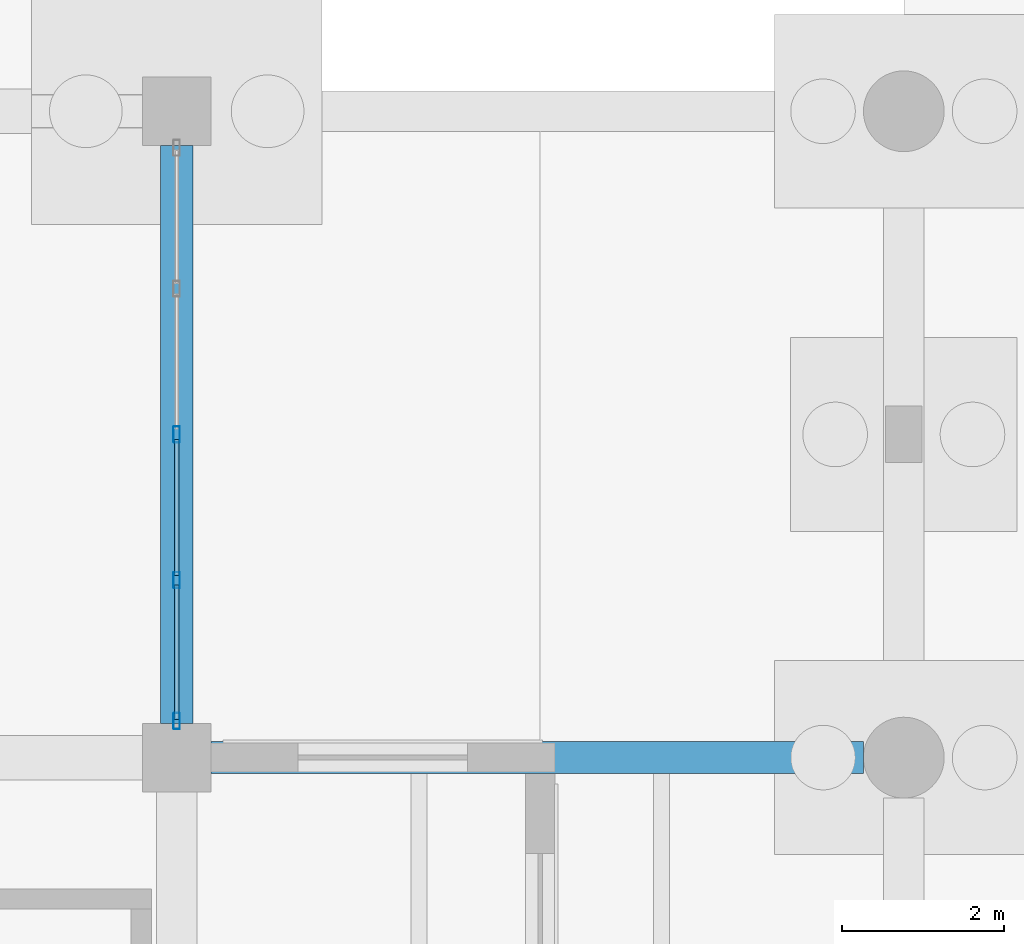
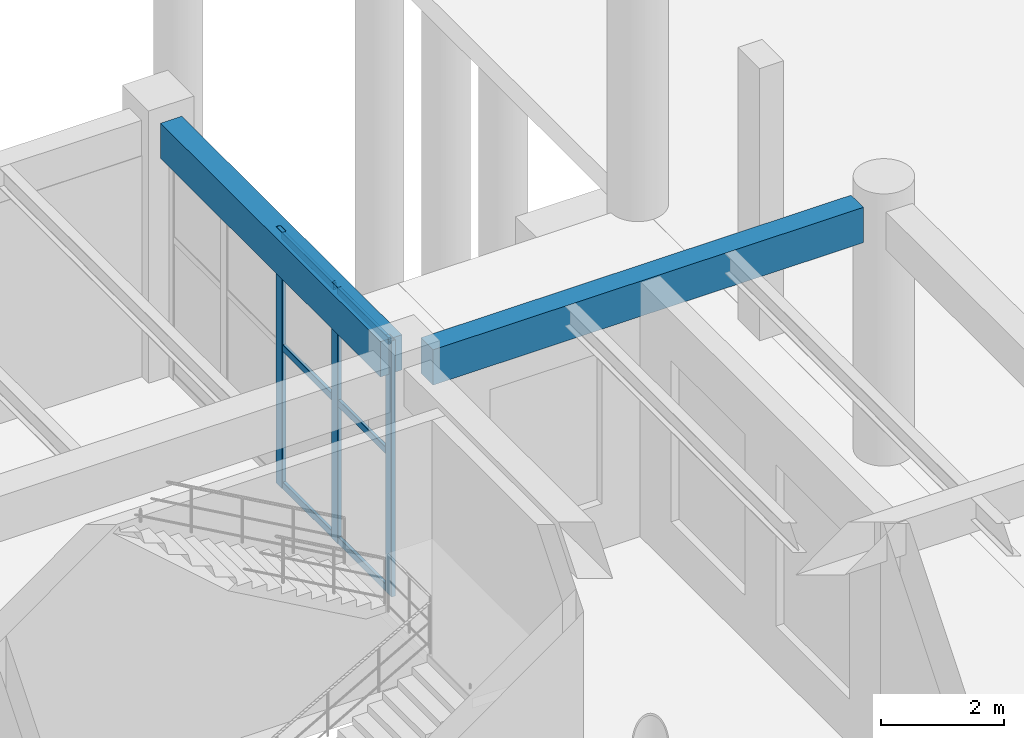
# One storey, part 45 of 121: 9 members, 2 beams, 1 element without a shape of its own.
"""IFC4 building model written with IfcOpenShell, lengths in metres."""

from ifc_helpers import new_model, si_unit, derived_unit, direction, frame, origin, origin_2d, place, context, subcontext, project, spatial, rectangle, hollow_rectangle, extrude, material, material_profile, profile_set, type_object, element, aggregate, save


model = new_model("IFC4")

# Units and contexts
model_context = context("Model", 3, precision=1e-05, world=origin(), true_north=direction((0.0, 1.0)))
body_context = subcontext(model_context, "Body", "Model", "MODEL_VIEW")
ifc_project = project(units=[si_unit("LENGTHUNIT", "METRE"), si_unit("AREAUNIT", "SQUARE_METRE"), si_unit("VOLUMEUNIT", "CUBIC_METRE"), si_unit("PLANEANGLEUNIT", "RADIAN"), si_unit("MASSUNIT", "GRAM", prefix="KILO"), derived_unit("THERMALTRANSMITTANCEUNIT", [(si_unit("MASSUNIT", "GRAM", prefix="KILO"), 1), (si_unit("TIMEUNIT", "SECOND"), -3), (si_unit("THERMODYNAMICTEMPERATUREUNIT", "KELVIN"), -1)])], contexts=[model_context])

# Site, building, storey
site_placement = place(None, origin())
site = spatial("IfcSite", under=ifc_project, at=site_placement, CompositionType="ELEMENT")
building_placement = place(site_placement, origin())
building = spatial("IfcBuilding", under=site, at=building_placement, Name="Zhenchuan Archway Interchange", CompositionType="ELEMENT")
storey_placement = place(building_placement, origin())
storey = spatial("IfcBuildingStorey", under=building, at=storey_placement, Name="L00", CompositionType="ELEMENT", Elevation=0.0)

# Curtain wall, members
ifc_material_1 = material(Name="Anodised Aluminium", Category="aluminium")
curtain_wall_type = type_object("IfcCurtainWallType", Name="CW_UNIT_4", PredefinedType="NOTDEFINED", material=ifc_material_1)
curtain_wall_placement = place(storey_placement, origin())
curtain_wall = element("IfcCurtainWall", 1, at=curtain_wall_placement, inside=storey, type_object=curtain_wall_type, Name="Unitised curtain wall CW:L00:007", PredefinedType="NOTDEFINED")
ifc_material_profile_1 = material_profile(ifc_material_1, hollow_rectangle(XDim=0.080078125, YDim=0.199951171875, WallThickness=0.00439453125, InnerFilletRadius=0.00439453125, OuterFilletRadius=0.009033203125, at=origin_2d()), Name="ALU 200x80x4.5")
ifc_profile_set_1 = profile_set([ifc_material_profile_1], Name="Anodised Aluminium")
member_type_1 = type_object("IfcMemberType", Name="CW_MUL_200", PredefinedType="MULLION", material=ifc_profile_set_1)
member_1_placement = place(storey_placement, frame((63.0, 92.0, 0.0), z_axis=(0.0, 0.0, 1.0), x_axis=(1.0, 0.0, 0.0)))
member_1 = element("IfcMember", 2, at=member_1_placement, type_object=member_type_1, Name="CW:L00:007 mullion 2", PredefinedType="MULLION", context=body_context, shape_type="SweptSolid", body=[
    extrude(hollow_rectangle(XDim=0.080078125, YDim=0.199951171875, WallThickness=0.00439453125, InnerFilletRadius=0.00439453125, OuterFilletRadius=0.009033203125, at=origin_2d()), origin(), (0.0, 0.0, 1.0), 5.080078125),
])
member_2_placement = place(storey_placement, frame((63.0, 90.196533203125, 0.0), z_axis=(0.0, 0.0, 1.0), x_axis=(1.0, 0.0, 0.0)))
member_2 = element("IfcMember", 3, at=member_2_placement, type_object=member_type_1, Name="CW:L00:007 mullion 3", PredefinedType="MULLION", context=body_context, shape_type="SweptSolid", body=[
    extrude(hollow_rectangle(XDim=0.080078125, YDim=0.199951171875, WallThickness=0.00439453125, InnerFilletRadius=0.00439453125, OuterFilletRadius=0.009033203125, at=origin_2d()), origin(), (0.0, 0.0, 1.0), 5.080078125),
])
member_3_placement = place(storey_placement, frame((63.0, 88.452880859375, 0.0), z_axis=(0.0, 0.0, 1.0), x_axis=(1.0, 0.0, 0.0)))
member_3 = element("IfcMember", 4, at=member_3_placement, type_object=member_type_1, Name="CW:L00:007 mullion 4", PredefinedType="MULLION", context=body_context, shape_type="SweptSolid", body=[
    extrude(hollow_rectangle(XDim=0.080078125, YDim=0.199951171875, WallThickness=0.00439453125, InnerFilletRadius=0.00439453125, OuterFilletRadius=0.009033203125, at=origin_2d()), origin(), (0.0, 0.0, 1.0), 5.080078125),
])
ifc_material_profile_2 = material_profile(ifc_material_1, hollow_rectangle(XDim=0.06005859375, YDim=0.139892578125, WallThickness=0.00341796875, InnerFilletRadius=0.00341796875, OuterFilletRadius=0.007080078125, at=origin_2d()), Name="ALU 140x60x3.5")
ifc_profile_set_2 = profile_set([ifc_material_profile_2], Name="Anodised Aluminium")
member_type_2 = type_object("IfcMemberType", Name="CW_TRN_140", PredefinedType="USERDEFINED", material=ifc_profile_set_2)
member_4_placement = place(storey_placement, frame((63.0, 91.93994140625, 0.06005859375), z_axis=(0.0, -1.0, 0.0), x_axis=(1.0, 0.0, 0.0)))
member_4 = element("IfcMember", 5, at=member_4_placement, type_object=member_type_2, Name="CW:L00:007 transom 2-1", ObjectType="TRANSOM", PredefinedType="USERDEFINED", context=body_context, shape_type="SweptSolid", body=[
    extrude(hollow_rectangle(XDim=0.06005859375, YDim=0.139892578125, WallThickness=0.00341796875, InnerFilletRadius=0.00341796875, OuterFilletRadius=0.007080078125, at=origin_2d()), origin(), (0.0, 0.0, 1.0), 1.683349609375),
])
member_5_placement = place(storey_placement, frame((63.0, 91.93994140625, 2.782958984375), z_axis=(0.0, -1.0, 0.0), x_axis=(1.0, 0.0, 0.0)))
member_5 = element("IfcMember", 6, at=member_5_placement, type_object=member_type_2, Name="CW:L00:007 transom 2-2", ObjectType="TRANSOM", PredefinedType="USERDEFINED", context=body_context, shape_type="SweptSolid", body=[
    extrude(hollow_rectangle(XDim=0.06005859375, YDim=0.139892578125, WallThickness=0.00341796875, InnerFilletRadius=0.00341796875, OuterFilletRadius=0.007080078125, at=origin_2d()), origin(), (0.0, 0.0, 1.0), 1.683349609375),
])
member_6_placement = place(storey_placement, frame((63.0, 91.93994140625, 5.0), z_axis=(0.0, -1.0, 0.0), x_axis=(1.0, 0.0, 0.0)))
member_6 = element("IfcMember", 7, at=member_6_placement, type_object=member_type_2, Name="CW:L00:007 transom 2-3", ObjectType="TRANSOM", PredefinedType="USERDEFINED", context=body_context, shape_type="SweptSolid", body=[
    extrude(hollow_rectangle(XDim=0.06005859375, YDim=0.139892578125, WallThickness=0.00341796875, InnerFilletRadius=0.00341796875, OuterFilletRadius=0.007080078125, at=origin_2d()), origin(), (0.0, 0.0, 1.0), 1.683349609375),
])
member_7_placement = place(storey_placement, frame((63.0, 90.136474609375, 0.06005859375), z_axis=(0.0, -1.0, 0.0), x_axis=(1.0, 0.0, 0.0)))
member_7 = element("IfcMember", 8, at=member_7_placement, type_object=member_type_2, Name="CW:L00:007 transom 3-1", ObjectType="TRANSOM", PredefinedType="USERDEFINED", context=body_context, shape_type="SweptSolid", body=[
    extrude(hollow_rectangle(XDim=0.06005859375, YDim=0.139892578125, WallThickness=0.00341796875, InnerFilletRadius=0.00341796875, OuterFilletRadius=0.007080078125, at=origin_2d()), origin(), (0.0, 0.0, 1.0), 1.66357421875),
])
member_8_placement = place(storey_placement, frame((63.0, 90.136474609375, 2.782958984375), z_axis=(0.0, -1.0, 0.0), x_axis=(1.0, 0.0, 0.0)))
member_8 = element("IfcMember", 9, at=member_8_placement, type_object=member_type_2, Name="CW:L00:007 transom 3-2", ObjectType="TRANSOM", PredefinedType="USERDEFINED", context=body_context, shape_type="SweptSolid", body=[
    extrude(hollow_rectangle(XDim=0.06005859375, YDim=0.139892578125, WallThickness=0.00341796875, InnerFilletRadius=0.00341796875, OuterFilletRadius=0.007080078125, at=origin_2d()), origin(), (0.0, 0.0, 1.0), 1.66357421875),
])
member_9_placement = place(storey_placement, frame((63.0, 90.136474609375, 5.0), z_axis=(0.0, -1.0, 0.0), x_axis=(1.0, 0.0, 0.0)))
member_9 = element("IfcMember", 10, at=member_9_placement, type_object=member_type_2, Name="CW:L00:007 transom 3-3", ObjectType="TRANSOM", PredefinedType="USERDEFINED", context=body_context, shape_type="SweptSolid", body=[
    extrude(hollow_rectangle(XDim=0.06005859375, YDim=0.139892578125, WallThickness=0.00341796875, InnerFilletRadius=0.00341796875, OuterFilletRadius=0.007080078125, at=origin_2d()), origin(), (0.0, 0.0, 1.0), 1.66357421875),
])
aggregate(curtain_wall, [member_1, member_2, member_3, member_4, member_5, member_6, member_7, member_8, member_9])

# Beams
ifc_material_2 = material(Name="Concrete C40", Category="concrete")
ifc_material_profile_3 = material_profile(ifc_material_2, rectangle(XDim=0.39990234375, YDim=0.699951171875, at=origin_2d()), Name="RC 400x700")
ifc_profile_set_3 = profile_set([ifc_material_profile_3], Name="Concrete C40")
beam_type = type_object("IfcBeamType", Name="SP_RC_400x700", PredefinedType="SPANDREL", material=ifc_profile_set_3)
beam_1_placement = place(storey_placement, frame((63.425048828125, 88.0, 4.72998046875), z_axis=(1.0, 0.0, 0.0), x_axis=(0.0, 1.0, 0.0)))
element("IfcBeam", 11, at=beam_1_placement, inside=storey, type_object=beam_type, Name="Beam M:8-9 (L00)", PredefinedType="SPANDREL", context=body_context, shape_type="SweptSolid", body=[
    extrude(rectangle(XDim=0.39990234375, YDim=0.699951171875, at=origin_2d()), origin(), (0.0, 0.0, 1.0), 8.074951171875),
])
beam_2_placement = place(storey_placement, frame((63.0, 88.425048828125, 4.72998046875), z_axis=(0.0, 1.0, 0.0), x_axis=(-1.0, 0.0, 0.0)))
element("IfcBeam", 12, at=beam_2_placement, inside=storey, type_object=beam_type, Name="Beam 8:M-N (L00)", PredefinedType="SPANDREL", context=body_context, shape_type="SweptSolid", body=[
    extrude(rectangle(XDim=0.39990234375, YDim=0.699951171875, at=origin_2d()), origin(), (0.0, 0.0, 1.0), 7.14990234375),
])

save(model, "model.ifc")
